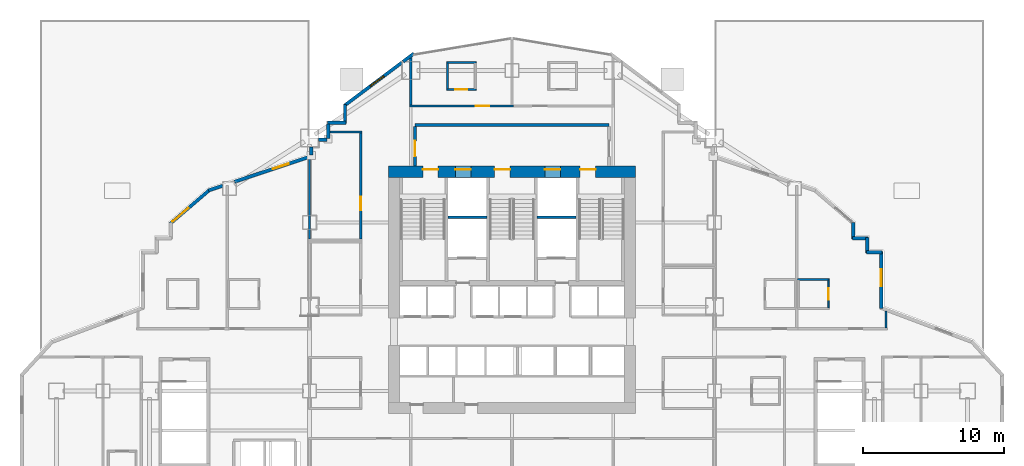
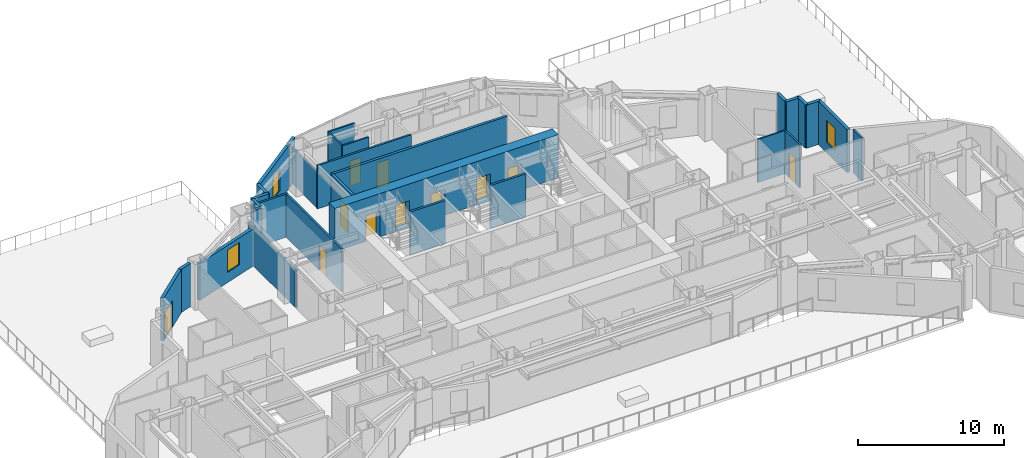
# One storey, part 11 of 20: 31 walls, 11 doors, 3 windows, 14 openings.
"""IFC4 building model written with IfcOpenShell, lengths in metres."""

from ifc_helpers import new_model, si_unit, direction, frame, frame_2d, origin, place, context, subcontext, project, spatial, rectangle, extrude, material, layer, layer_set, type_object, element, fill, save


model = new_model("IFC4")

# Units and contexts
model_context = context("Model", 3, precision=1e-05, world=origin(), true_north=direction((0.0, 1.0)))
body_context = subcontext(model_context, "Body", "Model", "MODEL_VIEW")
ifc_project = project(units=[si_unit("LENGTHUNIT", "METRE"), si_unit("AREAUNIT", "SQUARE_METRE"), si_unit("VOLUMEUNIT", "CUBIC_METRE"), si_unit("PLANEANGLEUNIT", "RADIAN"), si_unit("MASSUNIT", "GRAM", prefix="KILO")], contexts=[model_context])

# Site, building, storey
site_placement = place(None, origin())
site = spatial("IfcSite", under=ifc_project, at=site_placement, CompositionType="ELEMENT")
building_placement = place(site_placement, origin())
building = spatial("IfcBuilding", under=site, at=building_placement, Name="Haolan Belvedere Tower", CompositionType="ELEMENT")
storey_placement = place(building_placement, frame((0.0, 0.0, 24.0)))
storey = spatial("IfcBuildingStorey", under=building, at=storey_placement, Name="L05", CompositionType="ELEMENT", Elevation=24.0)

# Wall, openings, doors
ifc_material_1 = material(Name="Concrete C70/85", Category="concrete")
ifc_layer_1 = layer(ifc_material_1, 0.800048828125, Name="Concrete C70/85")
ifc_layer_set_1 = layer_set([ifc_layer_1], Name="Concrete C70/85")
wall_type_1 = type_object("IfcWallType", Name="WL-CORE-800", PredefinedType="SHEAR", material=ifc_layer_set_1)
wall_1_placement = place(storey_placement, frame((29.60009765625, 43.199951171875, 0.0), z_axis=(0.0, 0.0, 1.0), x_axis=(1.0, 0.0, 0.0)))
wall_1 = element("IfcWall", 1, at=wall_1_placement, inside=storey, type_object=wall_type_1, Name="L05 central core north shear wall", PredefinedType="SHEAR", context=body_context, shape_type="SweptSolid", body=[
    extrude(rectangle(XDim=17.599853515625, YDim=0.800048828125, at=frame_2d((8.7998046875, 0.0))), origin(), (0.0, 0.0, 1.0), 3.60009765625),
])
opening_1_placement = place(wall_1_placement, frame((2.449951171875, 0.0, 0.0)))
opening_1 = element("IfcOpeningElement", 2, at=opening_1_placement, cuts=wall_1, Name="Opening FD-03", PredefinedType="OPENING", context=body_context, shape_type="SweptSolid", body=[
    extrude(rectangle(XDim=1.10009765625, YDim=2.14990234375, at=frame_2d((0.550048828125, 1.074951171875))), frame((0.0, 0.409912109375, 0.0), z_axis=(0.0, -1.0, 0.0), x_axis=(1.0, 0.0, 0.0)), (0.0, 0.0, 1.0), 0.820068359375),
])
opening_2_placement = place(wall_1_placement, frame((7.56005859375, 0.0, 0.0)))
opening_2 = element("IfcOpeningElement", 3, at=opening_2_placement, cuts=wall_1, Name="Opening FD-03", PredefinedType="OPENING", context=body_context, shape_type="SweptSolid", body=[
    extrude(rectangle(XDim=1.10009765625, YDim=2.14990234375, at=frame_2d((0.550048828125, 1.074951171875))), frame((0.0, 0.409912109375, 0.0), z_axis=(0.0, -1.0, 0.0), x_axis=(1.0, 0.0, 0.0)), (0.0, 0.0, 1.0), 0.820068359375),
])
opening_3_placement = place(wall_1_placement, frame((13.64990234375, 0.0, 0.0)))
opening_3 = element("IfcOpeningElement", 4, at=opening_3_placement, cuts=wall_1, Name="Opening FD-03", PredefinedType="OPENING", context=body_context, shape_type="SweptSolid", body=[
    extrude(rectangle(XDim=1.10009765625, YDim=2.14990234375, at=frame_2d((0.550048828125, 1.074951171875))), frame((0.0, 0.409912109375, 0.0), z_axis=(0.0, -1.0, 0.0), x_axis=(1.0, 0.0, 0.0)), (0.0, 0.0, 1.0), 0.820068359375),
])
opening_4_placement = place(wall_1_placement, frame((4.780029296875, 0.0, 0.0)))
opening_4 = element("IfcOpeningElement", 5, at=opening_4_placement, cuts=wall_1, Name="Opening LD-01", PredefinedType="OPENING", context=body_context, shape_type="SweptSolid", body=[
    extrude(rectangle(XDim=1.10009765625, YDim=2.199951171875, at=frame_2d((0.550048828125, 1.10009765625))), frame((0.0, 0.409912109375, 0.0), z_axis=(0.0, -1.0, 0.0), x_axis=(1.0, 0.0, 0.0)), (0.0, 0.0, 1.0), 0.820068359375),
])
opening_5_placement = place(wall_1_placement, frame((11.139892578125, 0.0, 0.0)))
opening_5 = element("IfcOpeningElement", 6, at=opening_5_placement, cuts=wall_1, Name="Opening LD-01", PredefinedType="OPENING", context=body_context, shape_type="SweptSolid", body=[
    extrude(rectangle(XDim=1.10009765625, YDim=2.199951171875, at=frame_2d((0.550048828125, 1.10009765625))), frame((0.0, 0.409912109375, 0.0), z_axis=(0.0, -1.0, 0.0), x_axis=(1.0, 0.0, 0.0)), (0.0, 0.0, 1.0), 0.820068359375),
])
ifc_material_2 = material(Name="Galvanised fire-rated steel", Category="steel")
door_type_1 = type_object("IfcDoorType", Name="DR-FD90-1100", OperationType="NOTDEFINED", PredefinedType="DOOR", material=ifc_material_2)
door_1_placement = place(opening_1_placement, origin())
door_1 = element("IfcDoor", 7, at=door_1_placement, inside=storey, type_object=door_type_1, Name="L05 door CD-L05-ST1", OperationType="SINGLE_SWING_LEFT", OverallHeight=2.14990234375, OverallWidth=1.10009765625, PredefinedType="DOOR", context=body_context, shape_type="SweptSolid", body=[
    extrude(rectangle(XDim=1.10009765625, YDim=2.14990234375, at=frame_2d((0.550048828125, 1.074951171875))), frame((0.0, 0.18505859375, 0.0), z_axis=(0.0, -1.0, 0.0), x_axis=(1.0, 0.0, 0.0)), (0.0, 0.0, 1.0), 0.050048828125),
])
fill(opening_1, door_1)
door_2_placement = place(opening_2_placement, origin())
door_2 = element("IfcDoor", 8, at=door_2_placement, inside=storey, type_object=door_type_1, Name="L05 door CD-L05-ST3", OperationType="SINGLE_SWING_LEFT", OverallHeight=2.14990234375, OverallWidth=1.10009765625, PredefinedType="DOOR", context=body_context, shape_type="SweptSolid", body=[
    extrude(rectangle(XDim=1.10009765625, YDim=2.14990234375, at=frame_2d((0.550048828125, 1.074951171875))), frame((0.0, 0.18505859375, 0.0), z_axis=(0.0, -1.0, 0.0), x_axis=(1.0, 0.0, 0.0)), (0.0, 0.0, 1.0), 0.050048828125),
])
fill(opening_2, door_2)
door_3_placement = place(opening_3_placement, origin())
door_3 = element("IfcDoor", 9, at=door_3_placement, inside=storey, type_object=door_type_1, Name="L05 door CD-L05-ST2", OperationType="SINGLE_SWING_RIGHT", OverallHeight=2.14990234375, OverallWidth=1.10009765625, PredefinedType="DOOR", context=body_context, shape_type="SweptSolid", body=[
    extrude(rectangle(XDim=1.10009765625, YDim=2.14990234375, at=frame_2d((0.550048828125, 1.074951171875))), frame((0.0, 0.18505859375, 0.0), z_axis=(0.0, -1.0, 0.0), x_axis=(1.0, 0.0, 0.0)), (0.0, 0.0, 1.0), 0.050048828125),
])
fill(opening_3, door_3)
ifc_material_3 = material(Name="Brushed champagne stainless steel 316L", Category="steel")
door_type_2 = type_object("IfcDoorType", Name="DR-LIFT-1100", OperationType="SLIDING_TO_LEFT", PredefinedType="DOOR", material=ifc_material_3)
door_4_placement = place(opening_4_placement, origin())
door_4 = element("IfcDoor", 10, at=door_4_placement, inside=storey, type_object=door_type_2, Name="L05 door LD-L05-FF1", OperationType="SLIDING_TO_LEFT", OverallHeight=2.199951171875, OverallWidth=1.10009765625, PredefinedType="DOOR", context=body_context, shape_type="SweptSolid", body=[
    extrude(rectangle(XDim=1.10009765625, YDim=2.199951171875, at=frame_2d((0.550048828125, 1.10009765625))), frame((0.0, 0.18505859375, 0.0), z_axis=(0.0, -1.0, 0.0), x_axis=(1.0, 0.0, 0.0)), (0.0, 0.0, 1.0), 0.050048828125),
])
fill(opening_4, door_4)
door_5_placement = place(opening_5_placement, origin())
door_5 = element("IfcDoor", 11, at=door_5_placement, inside=storey, type_object=door_type_2, Name="L05 door LD-L05-FF2", OperationType="SLIDING_TO_LEFT", OverallHeight=2.199951171875, OverallWidth=1.10009765625, PredefinedType="DOOR", context=body_context, shape_type="SweptSolid", body=[
    extrude(rectangle(XDim=1.10009765625, YDim=2.199951171875, at=frame_2d((0.550048828125, 1.10009765625))), frame((0.0, 0.18505859375, 0.0), z_axis=(0.0, -1.0, 0.0), x_axis=(1.0, 0.0, 0.0)), (0.0, 0.0, 1.0), 0.050048828125),
])
fill(opening_5, door_5)

# Wall, opening, window
ifc_material_4 = material(Name="Precast concrete C40/50", Category="concrete")
ifc_layer_2 = layer(ifc_material_4, 0.239990234375, Name="Precast concrete C40/50")
ifc_layer_set_2 = layer_set([ifc_layer_2], Name="Precast concrete C40/50")
wall_type_2 = type_object("IfcWallType", Name="WL-EXT-240", PredefinedType="SOLIDWALL", material=ifc_layer_set_2)
wall_2_placement = place(storey_placement, frame((64.679931640625, 33.4619140625, 0.0), z_axis=(0.0, 0.0, 1.0), x_axis=(0.0, 1.0, 0.0)))
wall_2 = element("IfcWall", 12, at=wall_2_placement, inside=storey, type_object=wall_type_2, Name="L05 pale-metal exterior spandrel wall 29.1", PredefinedType="SOLIDWALL", context=body_context, shape_type="SweptSolid", body=[
    extrude(rectangle(XDim=4.072998046875, YDim=0.239990234375, at=frame_2d((2.03662109375, 0.0))), origin(), (0.0, 0.0, 1.0), 3.60009765625),
])
opening_6_placement = place(wall_2_placement, frame((1.60009765625, 0.0, 0.85009765625)))
opening_6 = element("IfcOpeningElement", 13, at=opening_6_placement, cuts=wall_2, Name="Opening W-01", PredefinedType="OPENING", context=body_context, shape_type="SweptSolid", body=[
    extrude(rectangle(XDim=1.199951171875, YDim=1.85009765625, at=frame_2d((0.60009765625, 0.925048828125))), frame((0.0, 0.1298828125, 0.0), z_axis=(0.0, -1.0, 0.0), x_axis=(1.0, 0.0, 0.0)), (0.0, 0.0, 1.0), 0.260009765625),
])
ifc_material_5 = material(Name="Anodised aluminium 6063-T6 and Low-E glass", Category="aluminium")
window_type = type_object("IfcWindowType", Name="WN-DECO-Z1", PartitioningType="SINGLE_PANEL", PredefinedType="WINDOW", material=ifc_material_5)
window_1_placement = place(opening_6_placement, origin())
window_1 = element("IfcWindow", 14, at=window_1_placement, inside=storey, type_object=window_type, Name="L05 Art Deco chevron window 1", OverallHeight=1.85009765625, OverallWidth=1.199951171875, PartitioningType="SINGLE_PANEL", PredefinedType="WINDOW", context=body_context, shape_type="SweptSolid", body=[
    extrude(rectangle(XDim=1.199951171875, YDim=1.85009765625, at=frame_2d((0.60009765625, 0.925048828125))), frame((0.0, 0.030029296875, 0.0), z_axis=(0.0, -1.0, 0.0), x_axis=(1.0, 0.0, 0.0)), (0.0, 0.0, 1.0), 0.06005859375),
])
fill(opening_6, window_1)

# Walls
wall_3_placement = place(storey_placement, frame((64.735107421875, 37.47998046875, 0.0), z_axis=(0.0, 0.0, 1.0), x_axis=(-1.0, 0.0, 0.0)))
element("IfcWall", 15, at=wall_3_placement, inside=storey, type_object=wall_type_2, Name="L05 pale-metal exterior spandrel wall 30.1", PredefinedType="SOLIDWALL", context=body_context, shape_type="SweptSolid", body=[
    extrude(rectangle(XDim=1.110107421875, YDim=0.239990234375, at=frame_2d((0.55517578125, 0.0))), origin(), (0.0, 0.0, 1.0), 3.60009765625),
])
wall_4_placement = place(storey_placement, frame((63.679931640625, 37.425048828125, 0.0), z_axis=(0.0, 0.0, 1.0), x_axis=(0.0, 1.0, 0.0)))
element("IfcWall", 16, at=wall_4_placement, inside=storey, type_object=wall_type_2, Name="L05 pale-metal exterior spandrel wall 31.1", PredefinedType="SOLIDWALL", context=body_context, shape_type="SweptSolid", body=[
    extrude(rectangle(XDim=1.10986328125, YDim=0.239990234375, at=frame_2d((0.554931640625, 0.0))), origin(), (0.0, 0.0, 1.0), 3.60009765625),
])
wall_5_placement = place(storey_placement, frame((63.735107421875, 38.47998046875, 0.0), z_axis=(0.0, 0.0, 1.0), x_axis=(-1.0, 0.0, 0.0)))
element("IfcWall", 17, at=wall_5_placement, inside=storey, type_object=wall_type_2, Name="L05 pale-metal exterior spandrel wall 32.1", PredefinedType="SOLIDWALL", context=body_context, shape_type="SweptSolid", body=[
    extrude(rectangle(XDim=1.110107421875, YDim=0.239990234375, at=frame_2d((0.55517578125, 0.0))), origin(), (0.0, 0.0, 1.0), 3.60009765625),
])
wall_6_placement = place(storey_placement, frame((62.679931640625, 38.425048828125, 0.0), z_axis=(0.0, 0.0, 1.0), x_axis=(0.0, 1.0, 0.0)))
element("IfcWall", 18, at=wall_6_placement, inside=storey, type_object=wall_type_2, Name="L05 pale-metal exterior spandrel wall 33.1", PredefinedType="SOLIDWALL", context=body_context, shape_type="SweptSolid", body=[
    extrude(rectangle(XDim=1.1748046875, YDim=0.239990234375, at=frame_2d((0.58740234375, 0.0))), origin(), (0.0, 0.0, 1.0), 3.60009765625),
])
wall_7_placement = place(storey_placement, frame((31.4287109375, 51.621337890625, 0.0), z_axis=(0.0, 0.0, 1.0), x_axis=(-0.800090996409, -0.599878652284, 0.0)))
element("IfcWall", 19, at=wall_7_placement, inside=storey, type_object=wall_type_2, Name="L05 pale-metal exterior spandrel wall 44.1", PredefinedType="SOLIDWALL", context=body_context, shape_type="SweptSolid", body=[
    extrude(rectangle(XDim=0.9658203125, YDim=0.239990234375, at=frame_2d((0.48291015625, 0.0))), origin(), (0.0, 0.0, 1.0), 3.60009765625),
])

# Wall, opening, window
wall_8_placement = place(storey_placement, frame((30.55810546875, 50.968505859375, 0.0), z_axis=(0.0, 0.0, 1.0), x_axis=(-0.8, -0.6, 0.0)))
wall_8 = element("IfcWall", 20, at=wall_8_placement, inside=storey, type_object=wall_type_2, Name="L05 pale-metal exterior spandrel wall 44.2", PredefinedType="SOLIDWALL", context=body_context, shape_type="SweptSolid", body=[
    extrude(rectangle(XDim=5.1025390625, YDim=0.239990234375, at=frame_2d((2.55126953125, 0.0))), origin(), (0.0, 0.0, 1.0), 3.60009765625),
])
opening_7_placement = place(wall_8_placement, frame((1.60009765625, 0.0, 0.85009765625)))
opening_7 = element("IfcOpeningElement", 21, at=opening_7_placement, cuts=wall_8, Name="Opening W-01", PredefinedType="OPENING", context=body_context, shape_type="SweptSolid", body=[
    extrude(rectangle(XDim=1.199951171875, YDim=1.85009765625, at=frame_2d((0.60009765625, 0.925048828125))), frame((0.0, 0.1298828125, 0.0), z_axis=(0.0, -1.0, 0.0), x_axis=(1.0, 0.0, 0.0)), (0.0, 0.0, 1.0), 0.260009765625),
])
window_2_placement = place(opening_7_placement, origin())
window_2 = element("IfcWindow", 22, at=window_2_placement, inside=storey, type_object=window_type, Name="L05 Art Deco chevron window 1", OverallHeight=1.85009765625, OverallWidth=1.199951171875, PartitioningType="SINGLE_PANEL", PredefinedType="WINDOW", context=body_context, shape_type="SweptSolid", body=[
    extrude(rectangle(XDim=1.199951171875, YDim=1.85009765625, at=frame_2d((0.60009765625, 0.925048828125))), frame((0.0, 0.030029296875, 0.0), z_axis=(0.0, -1.0, 0.0), x_axis=(1.0, 0.0, 0.0)), (0.0, 0.0, 1.0), 0.06005859375),
])
fill(opening_7, window_2)

# Walls
wall_9_placement = place(storey_placement, frame((26.52001953125, 47.9951171875, 0.0), z_axis=(0.0, 0.0, 1.0), x_axis=(0.0, -1.0, 0.0)))
element("IfcWall", 23, at=wall_9_placement, inside=storey, type_object=wall_type_2, Name="L05 pale-metal exterior spandrel wall 45.1", PredefinedType="SOLIDWALL", context=body_context, shape_type="SweptSolid", body=[
    extrude(rectangle(XDim=1.3701171875, YDim=0.239990234375, at=frame_2d((0.68505859375, 0.0))), origin(), (0.0, 0.0, 1.0), 3.60009765625),
])
wall_10_placement = place(storey_placement, frame((26.574951171875, 46.679931640625, 0.0), z_axis=(0.0, 0.0, 1.0), x_axis=(-1.0, 0.0, 0.0)))
element("IfcWall", 24, at=wall_10_placement, inside=storey, type_object=wall_type_2, Name="L05 pale-metal exterior spandrel wall 46.1", PredefinedType="SOLIDWALL", context=body_context, shape_type="SweptSolid", body=[
    extrude(rectangle(XDim=1.31005859375, YDim=0.239990234375, at=frame_2d((0.655029296875, 0.0))), origin(), (0.0, 0.0, 1.0), 3.60009765625),
])
wall_11_placement = place(storey_placement, frame((25.320068359375, 46.614990234375, 0.0), z_axis=(0.0, 0.0, 1.0), x_axis=(0.0, -1.0, 0.0)))
element("IfcWall", 25, at=wall_11_placement, inside=storey, type_object=wall_type_2, Name="L05 pale-metal exterior spandrel wall 47.1", PredefinedType="SOLIDWALL", context=body_context, shape_type="SweptSolid", body=[
    extrude(rectangle(XDim=1.050048828125, YDim=0.239990234375, at=frame_2d((0.52490234375, 0.0))), origin(), (0.0, 0.0, 1.0), 3.60009765625),
])
wall_12_placement = place(storey_placement, frame((25.235107421875, 45.47998046875, 0.0), z_axis=(0.0, 0.0, 1.0), x_axis=(-1.0, 0.0, 0.0)))
element("IfcWall", 26, at=wall_12_placement, inside=storey, type_object=wall_type_2, Name="L05 pale-metal exterior spandrel wall 48.1", PredefinedType="SOLIDWALL", context=body_context, shape_type="SweptSolid", body=[
    extrude(rectangle(XDim=0.593017578125, YDim=0.239990234375, at=frame_2d((0.29638671875, 0.0))), origin(), (0.0, 0.0, 1.0), 3.60009765625),
])
wall_13_placement = place(storey_placement, frame((24.1201171875, 44.9580078125, 0.0), z_axis=(0.0, 0.0, 1.0), x_axis=(0.0, -1.0, 0.0)))
element("IfcWall", 27, at=wall_13_placement, inside=storey, type_object=wall_type_2, Name="L05 pale-metal exterior spandrel wall 49.1", PredefinedType="SOLIDWALL", context=body_context, shape_type="SweptSolid", body=[
    extrude(rectangle(XDim=0.5595703125, YDim=0.239990234375, at=frame_2d((0.27978515625, 0.0))), origin(), (0.0, 0.0, 1.0), 3.096923828125),
])

# Wall, opening, window
wall_14_placement = place(storey_placement, frame((24.039306640625, 44.28662109375, 0.0), z_axis=(0.0, 0.0, 1.0), x_axis=(-0.948678995954, -0.316240672014, 0.0)))
wall_14 = element("IfcWall", 28, at=wall_14_placement, inside=storey, type_object=wall_type_2, Name="L05 pale-metal exterior spandrel wall 50.1", PredefinedType="SOLIDWALL", context=body_context, shape_type="SweptSolid", body=[
    extrude(rectangle(XDim=5.675048828125, YDim=0.239990234375, at=frame_2d((2.83740234375, 0.0))), origin(), (0.0, 0.0, 1.0), 3.096923828125),
])
opening_8_placement = place(wall_14_placement, frame((1.60009765625, 0.0, 0.85009765625)))
opening_8 = element("IfcOpeningElement", 29, at=opening_8_placement, cuts=wall_14, Name="Opening W-01", PredefinedType="OPENING", context=body_context, shape_type="SweptSolid", body=[
    extrude(rectangle(XDim=1.199951171875, YDim=1.85009765625, at=frame_2d((0.60009765625, 0.925048828125))), frame((0.0, 0.1298828125, 0.0), z_axis=(0.0, -1.0, 0.0), x_axis=(1.0, 0.0, 0.0)), (0.0, 0.0, 1.0), 0.260009765625),
])
window_3_placement = place(opening_8_placement, origin())
window_3 = element("IfcWindow", 30, at=window_3_placement, inside=storey, type_object=window_type, Name="L05 Art Deco chevron window 1", OverallHeight=1.85009765625, OverallWidth=1.199951171875, PartitioningType="SINGLE_PANEL", PredefinedType="WINDOW", context=body_context, shape_type="SweptSolid", body=[
    extrude(rectangle(XDim=1.199951171875, YDim=1.85009765625, at=frame_2d((0.60009765625, 0.925048828125))), frame((0.0, 0.030029296875, 0.0), z_axis=(0.0, -1.0, 0.0), x_axis=(1.0, 0.0, 0.0)), (0.0, 0.0, 1.0), 0.06005859375),
])
fill(opening_8, window_3)

# Wall
wall_15_placement = place(storey_placement, frame((17.80810546875, 42.20947265625, 0.0), z_axis=(0.0, 0.0, 1.0), x_axis=(-0.948706457285, -0.316158279832, 0.0)))
element("IfcWall", 31, at=wall_15_placement, inside=storey, type_object=wall_type_2, Name="L05 pale-metal exterior spandrel wall 50.2", PredefinedType="SOLIDWALL", context=body_context, shape_type="SweptSolid", body=[
    extrude(rectangle(XDim=1.053955078125, YDim=0.239990234375, at=frame_2d((0.52685546875, 0.0))), origin(), (0.0, 0.0, 1.0), 3.60009765625),
])

# Wall, opening, door
wall_16_placement = place(storey_placement, frame((16.902099609375, 41.929443359375, 0.0), z_axis=(0.0, 0.0, 1.0), x_axis=(-0.759275136126, -0.650769750112, 0.0)))
wall_16 = element("IfcWall", 32, at=wall_16_placement, inside=storey, type_object=wall_type_2, Name="L05 pale-metal exterior spandrel wall 51.1", PredefinedType="SOLIDWALL", context=body_context, shape_type="SweptSolid", body=[
    extrude(rectangle(XDim=3.71923828125, YDim=0.239990234375, at=frame_2d((1.859619140625, 0.0))), origin(), (0.0, 0.0, 1.0), 3.60009765625),
])
opening_9_placement = place(wall_16_placement, frame((3.499267578125, 0.0, 0.0), z_axis=(0.0, 0.0, 1.0), x_axis=(-1.0, 0.0, 0.0)))
opening_9 = element("IfcOpeningElement", 33, at=opening_9_placement, cuts=wall_16, Name="Opening TD-01", PredefinedType="OPENING", context=body_context, shape_type="SweptSolid", body=[
    extrude(rectangle(XDim=1.5, YDim=2.199951171875, at=frame_2d((0.75, 1.10009765625))), frame((0.0, 0.1298828125, 0.0), z_axis=(0.0, -1.0, 0.0), x_axis=(1.0, 0.0, 0.0)), (0.0, 0.0, 1.0), 0.260009765625),
])
ifc_material_6 = material(Name="Thermally broken pale-metal aluminium and Low-E glass", Category="aluminium")
door_type_3 = type_object("IfcDoorType", Name="DR-TER-1500", OperationType="DOUBLE_DOOR_SINGLE_SWING", PredefinedType="DOOR", material=ifc_material_6)
door_6_placement = place(opening_9_placement, origin())
door_6 = element("IfcDoor", 34, at=door_6_placement, inside=storey, type_object=door_type_3, Name="L05 garden terrace access door 2", OperationType="DOUBLE_DOOR_SINGLE_SWING", OverallHeight=2.199951171875, OverallWidth=1.5, PredefinedType="DOOR", context=body_context, shape_type="SweptSolid", body=[
    extrude(rectangle(XDim=1.5, YDim=2.199951171875, at=frame_2d((0.75, 1.10009765625))), frame((0.0, 0.02490234375, 0.0), z_axis=(0.0, -1.0, 0.0), x_axis=(1.0, 0.0, 0.0)), (0.0, 0.0, 1.0), 0.050048828125),
])
fill(opening_9, door_6)

# Wall
ifc_material_7 = material(Name="Concrete C40/50", Category="concrete")
ifc_layer_3 = layer(ifc_material_7, 0.199951171875, Name="Concrete C40/50")
ifc_layer_set_3 = layer_set([ifc_layer_3], Name="Concrete C40/50")
wall_type_3 = type_object("IfcWallType", Name="WL-FIRE-200", PredefinedType="SOLIDWALL", material=ifc_layer_set_3)
wall_17_placement = place(storey_placement, frame((31.5, 46.52001953125, 0.0), z_axis=(0.0, 0.0, 1.0), x_axis=(1.0, 0.0, 0.0)))
element("IfcWall", 35, at=wall_17_placement, inside=storey, type_object=wall_type_3, Name="L05 interior partition IW-L05-FFL-N", PredefinedType="SOLIDWALL", context=body_context, shape_type="SweptSolid", body=[
    extrude(rectangle(XDim=13.800048828125, YDim=0.199951171875, at=frame_2d((6.89990234375, 0.0))), origin(), (0.0, 0.0, 1.0), 3.60009765625),
])

# Wall, opening, door
wall_18_placement = place(storey_placement, frame((31.5, 43.60009765625, 0.0), z_axis=(0.0, 0.0, 1.0), x_axis=(0.0, 1.0, 0.0)))
wall_18 = element("IfcWall", 36, at=wall_18_placement, inside=storey, type_object=wall_type_3, Name="L05 interior partition IW-L05-FFL-W", PredefinedType="SOLIDWALL", context=body_context, shape_type="SweptSolid", body=[
    extrude(rectangle(XDim=2.8349609375, YDim=0.199951171875, at=frame_2d((1.41748046875, 0.0))), origin(), (0.0, 0.0, 1.0), 3.60009765625),
])
opening_10_placement = place(wall_18_placement, frame((1.800048828125, 0.0, 0.0), z_axis=(0.0, 0.0, 1.0), x_axis=(-1.0, 0.0, 0.0)))
opening_10 = element("IfcOpeningElement", 37, at=opening_10_placement, cuts=wall_18, Name="Opening FD-03", PredefinedType="OPENING", context=body_context, shape_type="SweptSolid", body=[
    extrude(rectangle(XDim=1.10009765625, YDim=2.14990234375, at=frame_2d((0.550048828125, 1.074951171875))), frame((0.0, 0.10986328125, 0.0), z_axis=(0.0, -1.0, 0.0), x_axis=(1.0, 0.0, 0.0)), (0.0, 0.0, 1.0), 0.219970703125),
])
door_7_placement = place(opening_10_placement, origin())
door_7 = element("IfcDoor", 38, at=door_7_placement, inside=storey, type_object=door_type_1, Name="L05 door ID-L05-FFL-DW", OperationType="SINGLE_SWING_LEFT", OverallHeight=2.14990234375, OverallWidth=1.10009765625, PredefinedType="DOOR", context=body_context, shape_type="SweptSolid", body=[
    extrude(rectangle(XDim=1.10009765625, YDim=2.14990234375, at=frame_2d((0.550048828125, 1.074951171875))), frame((0.0, 0.02490234375, 0.0), z_axis=(0.0, -1.0, 0.0), x_axis=(1.0, 0.0, 0.0)), (0.0, 0.0, 1.0), 0.050048828125),
])
fill(opening_10, door_7)

# Walls
ifc_material_8 = material(Name="Double gypsum acoustic stud partition", Category="masonry")
ifc_layer_4 = layer(ifc_material_8, 0.14990234375, Name="Double gypsum acoustic stud partition")
ifc_layer_set_4 = layer_set([ifc_layer_4], Name="Double gypsum acoustic stud partition")
wall_type_4 = type_object("IfcWallType", Name="WL-PART-150", PredefinedType="PARTITIONING", material=ifc_layer_set_4)
wall_19_placement = place(storey_placement, frame((25.425048828125, 46.02001953125, 0.0), z_axis=(0.0, 0.0, 1.0), x_axis=(1.0, 0.0, 0.0)))
element("IfcWall", 39, at=wall_19_placement, inside=storey, type_object=wall_type_4, Name="L05 interior partition IW-L05-VLT-N", PredefinedType="PARTITIONING", context=body_context, shape_type="SweptSolid", body=[
    extrude(rectangle(XDim=2.294921875, YDim=0.14990234375, at=frame_2d((1.1474609375, 0.0))), origin(), (0.0, 0.0, 1.0), 3.60009765625),
])
wall_20_placement = place(storey_placement, frame((24.0, 38.419921875, 0.0), z_axis=(0.0, 0.0, 1.0), x_axis=(0.0, 1.0, 0.0)))
element("IfcWall", 40, at=wall_20_placement, inside=storey, type_object=wall_type_4, Name="L05 interior partition IW-L05-VLT-W", PredefinedType="PARTITIONING", context=body_context, shape_type="SweptSolid", body=[
    extrude(rectangle(XDim=5.742919921875, YDim=0.14990234375, at=frame_2d((2.87158203125, 0.0))), origin(), (0.0, 0.0, 1.0), 3.096923828125),
])

# Wall, opening, door
wall_21_placement = place(storey_placement, frame((27.639892578125, 38.419921875, 0.0), z_axis=(0.0, 0.0, 1.0), x_axis=(0.0, 1.0, 0.0)))
wall_21 = element("IfcWall", 41, at=wall_21_placement, inside=storey, type_object=wall_type_4, Name="L05 interior partition IW-L05-VLT-E", PredefinedType="PARTITIONING", context=body_context, shape_type="SweptSolid", body=[
    extrude(rectangle(XDim=7.5400390625, YDim=0.14990234375, at=frame_2d((3.77001953125, 0.0))), origin(), (0.0, 0.0, 1.0), 3.60009765625),
])
opening_11_placement = place(wall_21_placement, frame((3.010009765625, 0.0, 0.0), z_axis=(0.0, 0.0, 1.0), x_axis=(-1.0, 0.0, 0.0)))
opening_11 = element("IfcOpeningElement", 42, at=opening_11_placement, cuts=wall_21, Name="Opening ID-03", PredefinedType="OPENING", context=body_context, shape_type="SweptSolid", body=[
    extrude(rectangle(XDim=0.949951171875, YDim=2.1201171875, at=frame_2d((0.47509765625, 1.06005859375))), frame((0.0, 0.0849609375, 0.0), z_axis=(0.0, -1.0, 0.0), x_axis=(1.0, 0.0, 0.0)), (0.0, 0.0, 1.0), 0.169921875),
])
ifc_material_9 = material(Name="Painted solid-core timber", Category="wood")
door_type_4 = type_object("IfcDoorType", Name="DR-INT-950", OperationType="NOTDEFINED", PredefinedType="DOOR", material=ifc_material_9)
door_8_placement = place(opening_11_placement, origin())
door_8 = element("IfcDoor", 43, at=door_8_placement, inside=storey, type_object=door_type_4, Name="L05 door ID-L05-VLT", OperationType="SINGLE_SWING_RIGHT", OverallHeight=2.1201171875, OverallWidth=0.949951171875, PredefinedType="DOOR", context=body_context, shape_type="SweptSolid", body=[
    extrude(rectangle(XDim=0.949951171875, YDim=2.1201171875, at=frame_2d((0.47509765625, 1.06005859375))), frame((0.0, 0.02490234375, 0.0), z_axis=(0.0, -1.0, 0.0), x_axis=(1.0, 0.0, 0.0)), (0.0, 0.0, 1.0), 0.050048828125),
])
fill(opening_11, door_8)

wall_22_placement = place(storey_placement, frame((31.10009765625, 47.8798828125, 0.0), z_axis=(0.0, 0.0, 1.0), x_axis=(1.0, 0.0, 0.0)))
wall_22 = element("IfcWall", 44, at=wall_22_placement, inside=storey, type_object=wall_type_4, Name="L05 interior partition IW-L05-KN2-S", PredefinedType="PARTITIONING", context=body_context, shape_type="SweptSolid", body=[
    extrude(rectangle(XDim=7.39990234375, YDim=0.14990234375, at=frame_2d((3.699951171875, 0.0))), origin(), (0.0, 0.0, 1.0), 3.60009765625),
])
opening_12_placement = place(wall_22_placement, frame((4.713623046875, 0.0, 0.0)))
opening_12 = element("IfcOpeningElement", 45, at=opening_12_placement, cuts=wall_22, Name="Opening ID-02", PredefinedType="OPENING", context=body_context, shape_type="SweptSolid", body=[
    extrude(rectangle(XDim=0.949951171875, YDim=2.14990234375, at=frame_2d((0.47509765625, 1.074951171875))), frame((0.0, 0.0849609375, 0.0), z_axis=(0.0, -1.0, 0.0), x_axis=(1.0, 0.0, 0.0)), (0.0, 0.0, 1.0), 0.169921875),
])
ifc_material_10 = material(Name="Acoustic oak veneer fire-rated timber", Category="wood")
door_type_5 = type_object("IfcDoorType", Name="DR-GUEST-950", OperationType="NOTDEFINED", PredefinedType="DOOR", material=ifc_material_10)
door_9_placement = place(opening_12_placement, origin())
door_9 = element("IfcDoor", 46, at=door_9_placement, inside=storey, type_object=door_type_5, Name="L05 door ID-L05-KN2-ENT", OperationType="SINGLE_SWING_RIGHT", OverallHeight=2.14990234375, OverallWidth=0.949951171875, PredefinedType="DOOR", context=body_context, shape_type="SweptSolid", body=[
    extrude(rectangle(XDim=0.949951171875, YDim=2.14990234375, at=frame_2d((0.47509765625, 1.074951171875))), frame((0.0, 0.02490234375, 0.0), z_axis=(0.0, -1.0, 0.0), x_axis=(1.0, 0.0, 0.0)), (0.0, 0.0, 1.0), 0.050048828125),
])
fill(opening_12, door_9)

# Walls
wall_23_placement = place(storey_placement, frame((31.199951171875, 47.93994140625, 0.0), z_axis=(0.0, 0.0, 1.0), x_axis=(0.0, 1.0, 0.0)))
element("IfcWall", 47, at=wall_23_placement, inside=storey, type_object=wall_type_4, Name="L05 interior partition IW-L05-KN2-W", PredefinedType="PARTITIONING", context=body_context, shape_type="SweptSolid", body=[
    extrude(rectangle(XDim=3.378662109375, YDim=0.14990234375, at=frame_2d((1.689453125, 0.0))), origin(), (0.0, 0.0, 1.0), 2.985107421875),
])
wall_24_placement = place(storey_placement, frame((65.0, 32.090087890625, 0.0), z_axis=(0.0, 0.0, 1.0), x_axis=(0.0, 1.0, 0.0)))
element("IfcWall", 48, at=wall_24_placement, inside=storey, type_object=wall_type_4, Name="L05 interior partition IW-L05-T4N2-E", PredefinedType="PARTITIONING", context=body_context, shape_type="SweptSolid", body=[
    extrude(rectangle(XDim=1.194580078125, YDim=0.14990234375, at=frame_2d((0.59716796875, 0.0))), origin(), (0.0, 0.0, 1.0), 3.60009765625),
])
ifc_layer_5 = layer(ifc_material_4, 0.179931640625, Name="Precast concrete C40/50")
ifc_layer_set_5 = layer_set([ifc_layer_5], Name="Precast concrete C40/50")
wall_type_5 = type_object("IfcWallType", Name="WL-SHAFT-180", PredefinedType="SOLIDWALL", material=ifc_layer_set_5)
for number, where, z_axis, x_axis, name in (
    (49, (33.8349609375, 39.949951171875, 0.0), (0.0, 0.0, 1.0), (1.0, 0.0, 0.0), "L05 interior partition IW-L05-FF1-S"),
    (50, (40.195068359375, 39.949951171875, 0.0), (0.0, 0.0, 1.0), (1.0, 0.0, 0.0), "L05 interior partition IW-L05-FF2-S"),
):
    element("IfcWall", number, at=place(storey_placement, frame(where, z_axis=z_axis, x_axis=x_axis)), inside=storey, type_object=wall_type_5, Name=name, PredefinedType="SOLIDWALL", context=body_context, shape_type="SweptSolid", body=[
        extrude(rectangle(XDim=2.77001953125, YDim=0.179931640625, at=frame_2d((1.385009765625, 0.0))), origin(), (0.0, 0.0, 1.0), 3.60009765625),
    ])
ifc_material_11 = material(Name="Moisture-resistant gypsum tile partition", Category="masonry")
ifc_layer_6 = layer(ifc_material_11, 0.1201171875, Name="Moisture-resistant gypsum tile partition")
ifc_layer_set_6 = layer_set([ifc_layer_6], Name="Moisture-resistant gypsum tile partition")
wall_type_6 = type_object("IfcWallType", Name="WL-WET-120", PredefinedType="PARTITIONING", material=ifc_layer_set_6)
wall_25_placement = place(storey_placement, frame((33.75, 50.97998046875, 0.0), z_axis=(0.0, 0.0, 1.0), x_axis=(1.0, 0.0, 0.0)))
element("IfcWall", 51, at=wall_25_placement, inside=storey, type_object=wall_type_6, Name="L05 interior partition IW-L05-KN2-BN", PredefinedType="PARTITIONING", context=body_context, shape_type="SweptSolid", body=[
    extrude(rectangle(XDim=2.10009765625, YDim=0.1201171875, at=frame_2d((1.050048828125, 0.0))), origin(), (0.0, 0.0, 1.0), 3.60009765625),
])

# Wall, opening, door
wall_26_placement = place(storey_placement, frame((33.75, 49.06005859375, 0.0), z_axis=(0.0, 0.0, 1.0), x_axis=(1.0, 0.0, 0.0)))
wall_26 = element("IfcWall", 52, at=wall_26_placement, inside=storey, type_object=wall_type_6, Name="L05 interior partition IW-L05-KN2-BS", PredefinedType="PARTITIONING", context=body_context, shape_type="SweptSolid", body=[
    extrude(rectangle(XDim=2.10009765625, YDim=0.1201171875, at=frame_2d((1.050048828125, 0.0))), origin(), (0.0, 0.0, 1.0), 3.60009765625),
])
opening_13_placement = place(wall_26_placement, frame((0.625, 0.0, 0.0)))
opening_13 = element("IfcOpeningElement", 53, at=opening_13_placement, cuts=wall_26, Name="Opening ID-05", PredefinedType="OPENING", context=body_context, shape_type="SweptSolid", body=[
    extrude(rectangle(XDim=0.85009765625, YDim=2.10009765625, at=frame_2d((0.425048828125, 1.050048828125))), frame((0.0, 0.070068359375, 0.0), z_axis=(0.0, -1.0, 0.0), x_axis=(1.0, 0.0, 0.0)), (0.0, 0.0, 1.0), 0.14013671875),
])
ifc_material_12 = material(Name="Moisture-resistant lacquered timber", Category="wood")
door_type_6 = type_object("IfcDoorType", Name="DR-BATH-850", OperationType="NOTDEFINED", PredefinedType="DOOR", material=ifc_material_12)
door_10_placement = place(opening_13_placement, origin())
door_10 = element("IfcDoor", 54, at=door_10_placement, inside=storey, type_object=door_type_6, Name="L05 door ID-L05-KN2-BATH", OperationType="SINGLE_SWING_LEFT", OverallHeight=2.10009765625, OverallWidth=0.85009765625, PredefinedType="DOOR", context=body_context, shape_type="SweptSolid", body=[
    extrude(rectangle(XDim=0.85009765625, YDim=2.10009765625, at=frame_2d((0.425048828125, 1.050048828125))), frame((0.0, 0.02490234375, 0.0), z_axis=(0.0, -1.0, 0.0), x_axis=(1.0, 0.0, 0.0)), (0.0, 0.0, 1.0), 0.050048828125),
])
fill(opening_13, door_10)

# Walls
wall_27_placement = place(storey_placement, frame((33.81005859375, 49.10498046875, 0.0), z_axis=(0.0, 0.0, 1.0), x_axis=(0.0, 1.0, 0.0)))
element("IfcWall", 55, at=wall_27_placement, inside=storey, type_object=wall_type_6, Name="L05 interior partition IW-L05-KN2-BW", PredefinedType="PARTITIONING", context=body_context, shape_type="SweptSolid", body=[
    extrude(rectangle(XDim=1.830078125, YDim=0.1201171875, at=frame_2d((0.9150390625, 0.0))), origin(), (0.0, 0.0, 1.0), 3.60009765625),
])
wall_28_placement = place(storey_placement, frame((58.719970703125, 35.530029296875, 0.0), z_axis=(0.0, 0.0, 1.0), x_axis=(1.0, 0.0, 0.0)))
element("IfcWall", 56, at=wall_28_placement, inside=storey, type_object=wall_type_6, Name="L05 interior partition IW-L05-T4N2-BN", PredefinedType="PARTITIONING", context=body_context, shape_type="SweptSolid", body=[
    extrude(rectangle(XDim=2.25, YDim=0.1201171875, at=frame_2d((1.125, 0.0))), origin(), (0.0, 0.0, 1.0), 3.60009765625),
])

# Wall, opening, door
wall_29_placement = place(storey_placement, frame((60.909912109375, 33.52490234375, 0.0), z_axis=(0.0, 0.0, 1.0), x_axis=(0.0, 1.0, 0.0)))
wall_29 = element("IfcWall", 57, at=wall_29_placement, inside=storey, type_object=wall_type_6, Name="L05 interior partition IW-L05-T4N2-BE", PredefinedType="PARTITIONING", context=body_context, shape_type="SweptSolid", body=[
    extrude(rectangle(XDim=1.960205078125, YDim=0.1201171875, at=frame_2d((0.97998046875, 0.0))), origin(), (0.0, 0.0, 1.0), 3.60009765625),
])
opening_14_placement = place(wall_29_placement, frame((0.554931640625, 0.0, 0.0)))
opening_14 = element("IfcOpeningElement", 58, at=opening_14_placement, cuts=wall_29, Name="Opening ID-05", PredefinedType="OPENING", context=body_context, shape_type="SweptSolid", body=[
    extrude(rectangle(XDim=0.85009765625, YDim=2.10009765625, at=frame_2d((0.425048828125, 1.050048828125))), frame((0.0, 0.070068359375, 0.0), z_axis=(0.0, -1.0, 0.0), x_axis=(1.0, 0.0, 0.0)), (0.0, 0.0, 1.0), 0.14013671875),
])
door_11_placement = place(opening_14_placement, origin())
door_11 = element("IfcDoor", 59, at=door_11_placement, inside=storey, type_object=door_type_6, Name="L05 door ID-L05-T4N2-BATH", OperationType="SINGLE_SWING_LEFT", OverallHeight=2.10009765625, OverallWidth=0.85009765625, PredefinedType="DOOR", context=body_context, shape_type="SweptSolid", body=[
    extrude(rectangle(XDim=0.85009765625, YDim=2.10009765625, at=frame_2d((0.425048828125, 1.050048828125))), frame((0.0, 0.02490234375, 0.0), z_axis=(0.0, -1.0, 0.0), x_axis=(1.0, 0.0, 0.0)), (0.0, 0.0, 1.0), 0.050048828125),
])
fill(opening_14, door_11)

save(model, "model.ifc")
